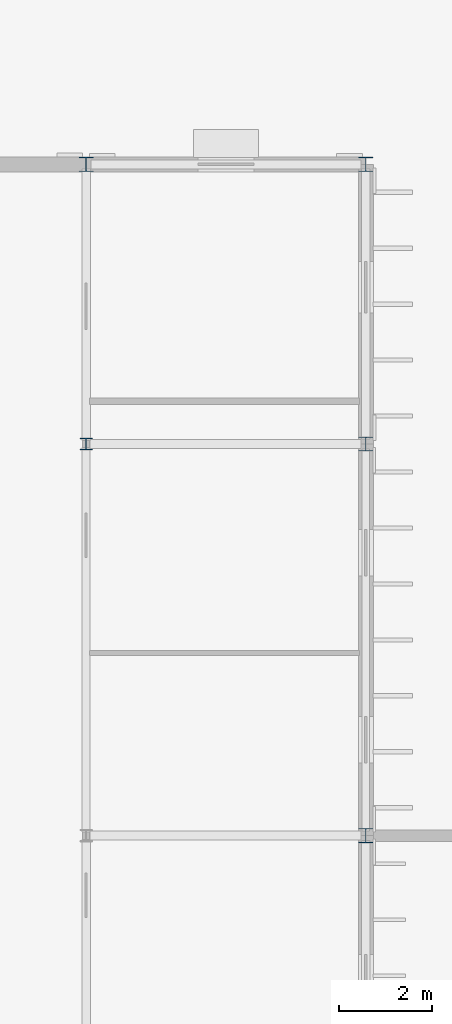
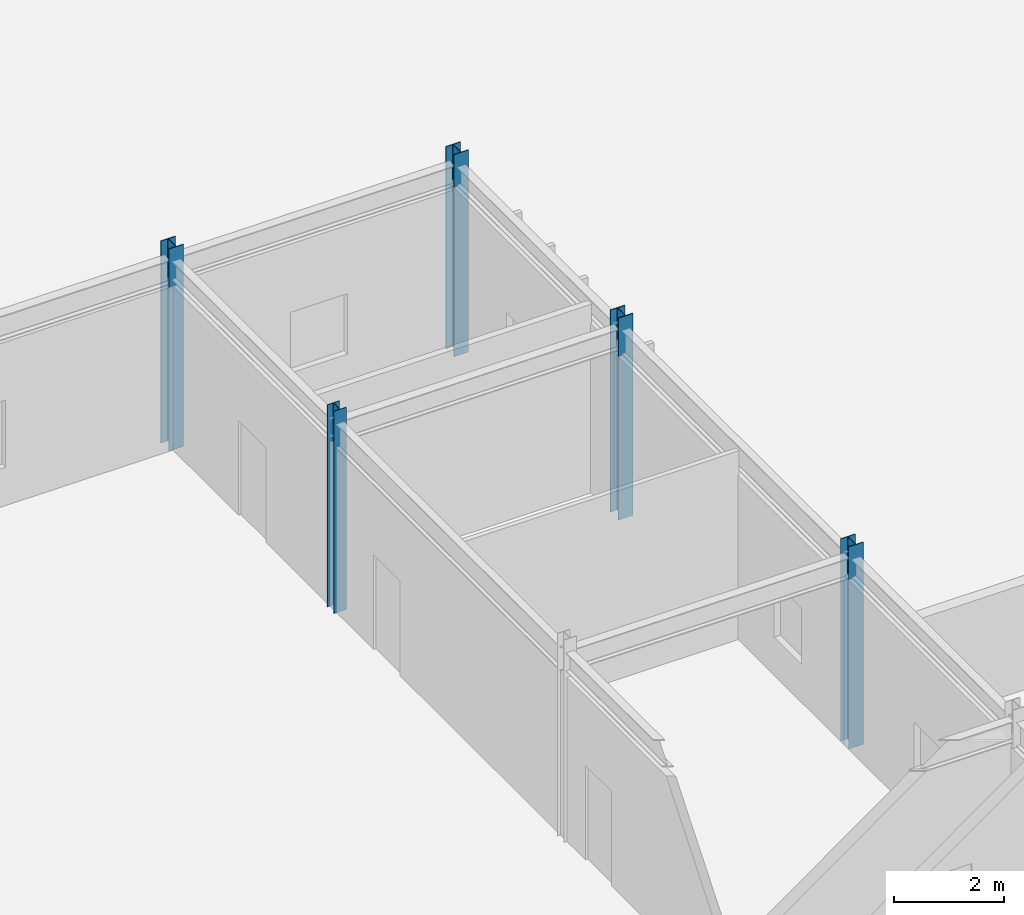
# One storey, part 9 of 67: 5 columns.
"""IFC4 building model written with IfcOpenShell, lengths in metres."""

from ifc_helpers import new_model, si_unit, direction, frame, origin, origin_2d, place, context, subcontext, project, spatial, i_section, extrude, material, material_profile, profile_set, type_object, element, save


model = new_model("IFC4")

# Units and contexts
model_context = context("Model", 3, precision=1e-05, world=origin(), true_north=direction((0.0, 1.0)))
body_context = subcontext(model_context, "Body", "Model", "MODEL_VIEW")
ifc_project = project(units=[si_unit("LENGTHUNIT", "METRE"), si_unit("AREAUNIT", "SQUARE_METRE"), si_unit("VOLUMEUNIT", "CUBIC_METRE"), si_unit("PLANEANGLEUNIT", "RADIAN"), si_unit("MASSUNIT", "GRAM", prefix="KILO"), si_unit("THERMODYNAMICTEMPERATUREUNIT", "KELVIN")], contexts=[model_context])

# Site, building, storey
site_placement = place(None, origin())
site = spatial("IfcSite", under=ifc_project, at=site_placement, CompositionType="ELEMENT")
building_placement = place(site_placement, origin())
building = spatial("IfcBuilding", under=site, at=building_placement, Name="Thalorik Housing Commons", CompositionType="ELEMENT")
storey_placement = place(building_placement, origin())
storey = spatial("IfcBuildingStorey", under=building, at=storey_placement, Name="L00", CompositionType="ELEMENT", Elevation=0.0)

# Columns
ifc_material = material(Name="Steel S355", Category="steel")
ifc_material_profile_1 = material_profile(ifc_material, i_section(OverallWidth=0.260009765625, OverallDepth=0.25390625, WebThickness=0.014404296875, FlangeThickness=0.014404296875, FilletRadius=0.010009765625, at=origin_2d()), Name="HP250x85", Category="steel")
ifc_profile_set_1 = profile_set([ifc_material_profile_1], Name="Steel S355")
column_type_1 = type_object("IfcColumnType", Name="STR-COL-HP250", PredefinedType="COLUMN", material=ifc_profile_set_1)
column_placement = place(storey_placement, frame((109.199951171875, 80.39990234375, 0.0), z_axis=(0.0, 0.0, 1.0), x_axis=(1.0, 0.0, 0.0)))
element("IfcColumn", 1, at=column_placement, inside=storey, type_object=column_type_1, Name="L00 Column SC-250", PredefinedType="COLUMN", context=body_context, shape_type="SweptSolid", body=[
    extrude(i_section(OverallWidth=0.260009765625, OverallDepth=0.25390625, WebThickness=0.014404296875, FlangeThickness=0.014404296875, FilletRadius=0.010009765625, at=origin_2d()), origin(), (0.0, 0.0, 1.0), 4.5),
])
ifc_material_profile_2 = material_profile(ifc_material, i_section(OverallWidth=0.31005859375, OverallDepth=0.30810546875, WebThickness=0.015380859375, FlangeThickness=0.015380859375, FilletRadius=0.011962890625, at=origin_2d()), Name="HP310x110", Category="steel")
ifc_profile_set_2 = profile_set([ifc_material_profile_2], Name="Steel S355")
column_type_2 = type_object("IfcColumnType", Name="STR-COL-HP310", PredefinedType="COLUMN", material=ifc_profile_set_2)
for number, where, z_axis, x_axis, name in (
    (2, (109.199951171875, 86.39990234375, 0.0), (0.0, 0.0, 1.0), (1.0, 0.0, 0.0), "L00 Column SC-310"),
    (3, (115.199951171875, 72.0, 0.0), (0.0, 0.0, 1.0), (1.0, 0.0, 0.0), "L00 Column SC-310"),
    (4, (115.199951171875, 80.39990234375, 0.0), (0.0, 0.0, 1.0), (1.0, 0.0, 0.0), "L00 Column SC-310"),
    (5, (115.199951171875, 86.39990234375, 0.0), (0.0, 0.0, 1.0), (1.0, 0.0, 0.0), "L00 Column SC-310"),
):
    element("IfcColumn", number, at=place(storey_placement, frame(where, z_axis=z_axis, x_axis=x_axis)), inside=storey, type_object=column_type_2, Name=name, PredefinedType="COLUMN", context=body_context, shape_type="SweptSolid", body=[
        extrude(i_section(OverallWidth=0.31005859375, OverallDepth=0.30810546875, WebThickness=0.015380859375, FlangeThickness=0.015380859375, FilletRadius=0.011962890625, at=origin_2d()), origin(), (0.0, 0.0, 1.0), 4.5),
    ])

save(model, "model.ifc")
